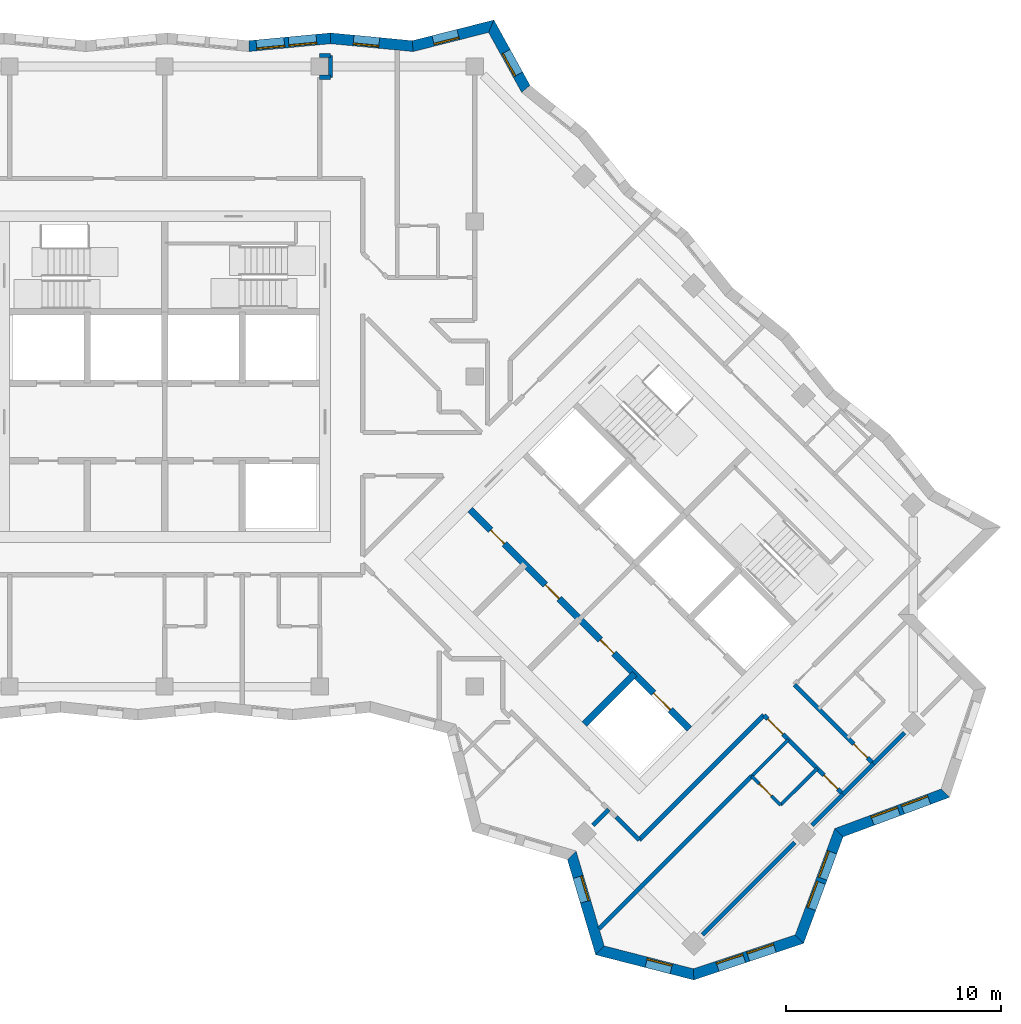
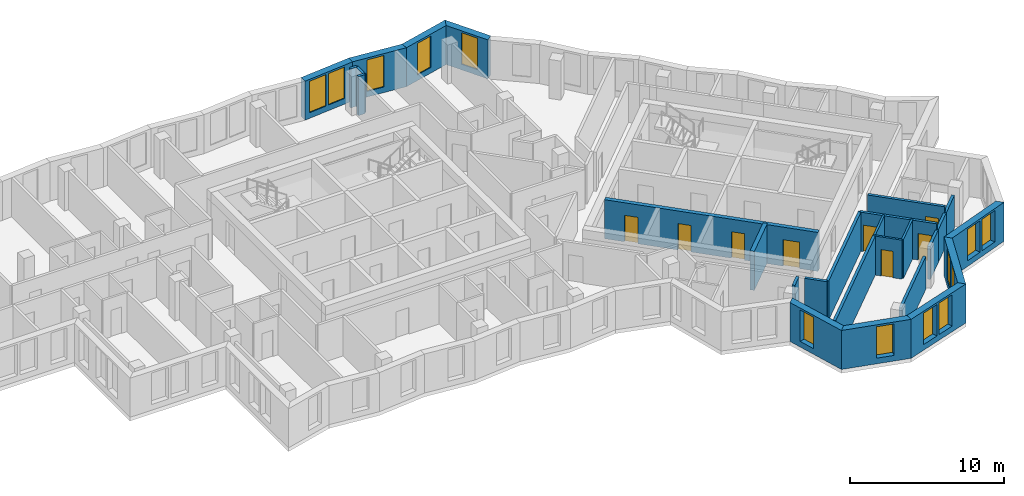
# One storey, part 7 of 11: 27 walls, 13 windows, 8 doors, 21 openings.
"""IFC4 building model written with IfcOpenShell, lengths in metres."""

from ifc_helpers import new_model, si_unit, direction, frame, frame_2d, origin, place, context, subcontext, project, spatial, polyline, rectangle, outline, extrude, material, layer, layer_set, type_object, element, fill, save


model = new_model("IFC4")

# Units and contexts
model_context = context("Model", 3, precision=1e-05, world=origin(), true_north=direction((0.0, 1.0)))
body_context = subcontext(model_context, "Body", "Model", "MODEL_VIEW")
ifc_project = project(units=[si_unit("LENGTHUNIT", "METRE"), si_unit("AREAUNIT", "SQUARE_METRE"), si_unit("VOLUMEUNIT", "CUBIC_METRE"), si_unit("PLANEANGLEUNIT", "RADIAN"), si_unit("MASSUNIT", "GRAM", prefix="KILO")], contexts=[model_context])

# Site, building, storey
site_placement = place(None, origin())
site = spatial("IfcSite", under=ifc_project, at=site_placement, CompositionType="ELEMENT")
building_placement = place(site_placement, origin())
building = spatial("IfcBuilding", under=site, at=building_placement, Name="Windrow Commons", CompositionType="ELEMENT")
storey_placement = place(building_placement, frame((0.0, 0.0, 196.4)))
storey = spatial("IfcBuildingStorey", under=building, at=storey_placement, Name="L53", CompositionType="ELEMENT", Elevation=196.4)

# Wall, openings, windows
ifc_material_1 = material(Name="Brick masonry, red clay brick", Category="masonry")
ifc_layer_1 = layer(ifc_material_1, 0.5)
ifc_layer_set_1 = layer_set([ifc_layer_1], Name="Brick facade wall 500")
wall_type_1 = type_object("IfcWallType", Name="Brick facade wall 500", PredefinedType="SOLIDWALL", material=ifc_layer_set_1)
wall_1_placement = place(storey_placement, frame((89.3731, 29.834, 0.0), z_axis=(0.0, 0.0, 1.0), x_axis=(0.9486832981, 0.316227766, 0.0)))
wall_1 = element("IfcWall", 1, at=wall_1_placement, inside=storey, type_object=wall_type_1, Name="Brick facade wall L53 1", PredefinedType="SOLIDWALL", context=body_context, shape_type="SweptSolid", body=[
    extrude(outline(polyline([(-0.0736, -0.25), (5.293, -0.25), (5.0535, 0.25), (0.0736, 0.25), (-0.0736, -0.25)])), origin(), (0.0, 0.0, 1.0), 3.1),
])
opening_1_placement = place(wall_1_placement, frame((1.1582, 0.0, 0.45)))
opening_1 = element("IfcOpeningElement", 2, at=opening_1_placement, cuts=wall_1, Name="Opening W1Q", PredefinedType="OPENING", context=body_context, shape_type="SweptSolid", body=[
    extrude(rectangle(XDim=1.3, YDim=2.5, at=frame_2d((0.65, 1.25))), frame((0.0, 0.26, 0.0), z_axis=(0.0, -1.0, 0.0), x_axis=(1.0, 0.0, 0.0)), (0.0, 0.0, 1.0), 0.52),
])
opening_2_placement = place(wall_1_placement, frame((2.6582, 0.0, 0.45)))
opening_2 = element("IfcOpeningElement", 3, at=opening_2_placement, cuts=wall_1, Name="Opening W1Q", PredefinedType="OPENING", context=body_context, shape_type="SweptSolid", body=[
    extrude(rectangle(XDim=1.3, YDim=2.5, at=frame_2d((0.65, 1.25))), frame((0.0, 0.26, 0.0), z_axis=(0.0, -1.0, 0.0), x_axis=(1.0, 0.0, 0.0)), (0.0, 0.0, 1.0), 0.52),
])
ifc_material_2 = material(Name="Clear float glass in anodised aluminium frame", Category="aluminium")
window_type_1 = type_object("IfcWindowType", Name="Window W1Q pair 1300x2500", PartitioningType="SINGLE_PANEL", PredefinedType="WINDOW", material=ifc_material_2)
window_1_placement = place(opening_1_placement, origin())
window_1 = element("IfcWindow", 4, at=window_1_placement, inside=storey, type_object=window_type_1, Name="Window L53 1.1A", OverallHeight=2.5, OverallWidth=1.3, PartitioningType="SINGLE_PANEL", PredefinedType="WINDOW", context=body_context, shape_type="SweptSolid", body=[
    extrude(rectangle(XDim=1.3, YDim=2.5, at=frame_2d((0.65, 1.25))), frame((0.0, 0.18, 0.0), z_axis=(0.0, -1.0, 0.0), x_axis=(1.0, 0.0, 0.0)), (0.0, 0.0, 1.0), 0.06),
])
fill(opening_1, window_1)
window_2_placement = place(opening_2_placement, origin())
window_2 = element("IfcWindow", 5, at=window_2_placement, inside=storey, type_object=window_type_1, Name="Window L53 1.1B", OverallHeight=2.5, OverallWidth=1.3, PartitioningType="SINGLE_PANEL", PredefinedType="WINDOW", context=body_context, shape_type="SweptSolid", body=[
    extrude(rectangle(XDim=1.3, YDim=2.5, at=frame_2d((0.65, 1.25))), frame((0.0, 0.18, 0.0), z_axis=(0.0, -1.0, 0.0), x_axis=(1.0, 0.0, 0.0)), (0.0, 0.0, 1.0), 0.06),
])
fill(opening_2, window_2)

wall_2_placement = place(storey_placement, frame((94.2808, 31.4699, 0.0), z_axis=(0.0, 0.0, 1.0), x_axis=(0.3481903374, 0.9374238577, 0.0)))
wall_2 = element("IfcWall", 6, at=wall_2_placement, inside=storey, type_object=wall_type_1, Name="Brick facade wall L53 2", PredefinedType="SOLIDWALL", context=body_context, shape_type="SweptSolid", body=[
    extrude(outline(polyline([(-0.1197, -0.25), (5.1604, -0.25), (5.3896, 0.25), (0.1197, 0.25), (-0.1197, -0.25)])), origin(), (0.0, 0.0, 1.0), 3.1),
])
opening_3_placement = place(wall_2_placement, frame((1.5123, 0.0, 0.45)))
opening_3 = element("IfcOpeningElement", 7, at=opening_3_placement, cuts=wall_2, Name="Opening W1Q", PredefinedType="OPENING", context=body_context, shape_type="SweptSolid", body=[
    extrude(rectangle(XDim=1.3, YDim=2.5, at=frame_2d((0.65, 1.25))), frame((0.0, 0.26, 0.0), z_axis=(0.0, -1.0, 0.0), x_axis=(1.0, 0.0, 0.0)), (0.0, 0.0, 1.0), 0.52),
])
opening_4_placement = place(wall_2_placement, frame((3.0123, 0.0, 0.45)))
opening_4 = element("IfcOpeningElement", 8, at=opening_4_placement, cuts=wall_2, Name="Opening W1Q", PredefinedType="OPENING", context=body_context, shape_type="SweptSolid", body=[
    extrude(rectangle(XDim=1.3, YDim=2.5, at=frame_2d((0.65, 1.25))), frame((0.0, 0.26, 0.0), z_axis=(0.0, -1.0, 0.0), x_axis=(1.0, 0.0, 0.0)), (0.0, 0.0, 1.0), 0.52),
])
window_3_placement = place(opening_3_placement, origin())
window_3 = element("IfcWindow", 9, at=window_3_placement, inside=storey, type_object=window_type_1, Name="Window L53 2.1A", OverallHeight=2.5, OverallWidth=1.3, PartitioningType="SINGLE_PANEL", PredefinedType="WINDOW", context=body_context, shape_type="SweptSolid", body=[
    extrude(rectangle(XDim=1.3, YDim=2.5, at=frame_2d((0.65, 1.25))), frame((0.0, 0.18, 0.0), z_axis=(0.0, -1.0, 0.0), x_axis=(1.0, 0.0, 0.0)), (0.0, 0.0, 1.0), 0.06),
])
fill(opening_3, window_3)
window_4_placement = place(opening_4_placement, origin())
window_4 = element("IfcWindow", 10, at=window_4_placement, inside=storey, type_object=window_type_1, Name="Window L53 2.1B", OverallHeight=2.5, OverallWidth=1.3, PartitioningType="SINGLE_PANEL", PredefinedType="WINDOW", context=body_context, shape_type="SweptSolid", body=[
    extrude(rectangle(XDim=1.3, YDim=2.5, at=frame_2d((0.65, 1.25))), frame((0.0, 0.18, 0.0), z_axis=(0.0, -1.0, 0.0), x_axis=(1.0, 0.0, 0.0)), (0.0, 0.0, 1.0), 0.06),
])
fill(opening_4, window_4)

wall_3_placement = place(storey_placement, frame((96.1175, 36.4148, 0.0), z_axis=(0.0, 0.0, 1.0), x_axis=(0.9374238577, 0.3481903374, 0.0)))
wall_3 = element("IfcWall", 11, at=wall_3_placement, inside=storey, type_object=wall_type_1, Name="Brick facade wall L53 3", PredefinedType="SOLIDWALL", context=body_context, shape_type="SweptSolid", body=[
    extrude(outline(polyline([(0.1146, -0.25), (5.3947, -0.25), (5.1552, 0.25), (-0.1146, 0.25), (0.1146, -0.25)])), origin(), (0.0, 0.0, 1.0), 3.1),
])
opening_5_placement = place(wall_3_placement, frame((1.655, 0.0, 0.45)))
opening_5 = element("IfcOpeningElement", 12, at=opening_5_placement, cuts=wall_3, Name="Opening W1Q", PredefinedType="OPENING", context=body_context, shape_type="SweptSolid", body=[
    extrude(rectangle(XDim=1.3, YDim=2.5, at=frame_2d((0.65, 1.25))), frame((0.0, 0.26, 0.0), z_axis=(0.0, -1.0, 0.0), x_axis=(1.0, 0.0, 0.0)), (0.0, 0.0, 1.0), 0.52),
])
opening_6_placement = place(wall_3_placement, frame((3.155, 0.0, 0.45)))
opening_6 = element("IfcOpeningElement", 13, at=opening_6_placement, cuts=wall_3, Name="Opening W1Q", PredefinedType="OPENING", context=body_context, shape_type="SweptSolid", body=[
    extrude(rectangle(XDim=1.3, YDim=2.5, at=frame_2d((0.65, 1.25))), frame((0.0, 0.26, 0.0), z_axis=(0.0, -1.0, 0.0), x_axis=(1.0, 0.0, 0.0)), (0.0, 0.0, 1.0), 0.52),
])
window_5_placement = place(opening_5_placement, origin())
window_5 = element("IfcWindow", 14, at=window_5_placement, inside=storey, type_object=window_type_1, Name="Window L53 3.1A", OverallHeight=2.5, OverallWidth=1.3, PartitioningType="SINGLE_PANEL", PredefinedType="WINDOW", context=body_context, shape_type="SweptSolid", body=[
    extrude(rectangle(XDim=1.3, YDim=2.5, at=frame_2d((0.65, 1.25))), frame((0.0, 0.18, 0.0), z_axis=(0.0, -1.0, 0.0), x_axis=(1.0, 0.0, 0.0)), (0.0, 0.0, 1.0), 0.06),
])
fill(opening_5, window_5)
window_6_placement = place(opening_6_placement, origin())
window_6 = element("IfcWindow", 15, at=window_6_placement, inside=storey, type_object=window_type_1, Name="Window L53 3.1B", OverallHeight=2.5, OverallWidth=1.3, PartitioningType="SINGLE_PANEL", PredefinedType="WINDOW", context=body_context, shape_type="SweptSolid", body=[
    extrude(rectangle(XDim=1.3, YDim=2.5, at=frame_2d((0.65, 1.25))), frame((0.0, 0.18, 0.0), z_axis=(0.0, -1.0, 0.0), x_axis=(1.0, 0.0, 0.0)), (0.0, 0.0, 1.0), 0.06),
])
fill(opening_6, window_6)

# Wall, opening, window
wall_4_placement = place(storey_placement, frame((81.5749, 70.9632, 0.0), z_axis=(0.0, 0.0, 1.0), x_axis=(-0.4832922013, 0.8754591071, 0.0)))
wall_4 = element("IfcWall", 16, at=wall_4_placement, inside=storey, type_object=wall_type_1, Name="Brick facade wall L53 16", PredefinedType="SOLIDWALL", context=body_context, shape_type="SweptSolid", body=[
    extrude(outline(polyline([(0.0492, -0.25), (3.5147, -0.25), (3.1288, 0.25), (-0.0492, 0.25), (0.0492, -0.25)])), origin(), (0.0, 0.0, 1.0), 3.1),
])
opening_7_placement = place(wall_4_placement, frame((0.7554, 0.0, 0.45)))
opening_7 = element("IfcOpeningElement", 17, at=opening_7_placement, cuts=wall_4, Name="Opening W7E", PredefinedType="OPENING", context=body_context, shape_type="SweptSolid", body=[
    extrude(rectangle(XDim=1.2, YDim=2.5, at=frame_2d((0.6, 1.25))), frame((0.0, 0.26, 0.0), z_axis=(0.0, -1.0, 0.0), x_axis=(1.0, 0.0, 0.0)), (0.0, 0.0, 1.0), 0.52),
])
ifc_material_3 = material(Name="Clear float glass in anodised aluminium frame", Category="aluminium")
window_type_2 = type_object("IfcWindowType", Name="Window W7 notch 1200x2500", PartitioningType="SINGLE_PANEL", PredefinedType="WINDOW", material=ifc_material_3)
window_7_placement = place(opening_7_placement, origin())
window_7 = element("IfcWindow", 18, at=window_7_placement, inside=storey, type_object=window_type_2, Name="Window L53 16.1", OverallHeight=2.5, OverallWidth=1.2, PartitioningType="SINGLE_PANEL", PredefinedType="WINDOW", context=body_context, shape_type="SweptSolid", body=[
    extrude(rectangle(XDim=1.2, YDim=2.5, at=frame_2d((0.6, 1.25))), frame((0.0, 0.18, 0.0), z_axis=(0.0, -1.0, 0.0), x_axis=(1.0, 0.0, 0.0)), (0.0, 0.0, 1.0), 0.06),
])
fill(opening_7, window_7)

wall_5_placement = place(storey_placement, frame((79.9695, 73.8713, 0.0), z_axis=(0.0, 0.0, 1.0), x_axis=(-0.9693348908, -0.2457435035, 0.0)))
wall_5 = element("IfcWall", 19, at=wall_5_placement, inside=storey, type_object=wall_type_1, Name="Brick facade wall L53 17", PredefinedType="SOLIDWALL", context=body_context, shape_type="SweptSolid", body=[
    extrude(outline(polyline([(-0.193, -0.25), (3.718, -0.25), (3.8046, 0.25), (0.193, 0.25), (-0.193, -0.25)])), origin(), (0.0, 0.0, 1.0), 3.1),
])
opening_8_placement = place(wall_5_placement, frame((1.5776, 0.0, 0.45)))
opening_8 = element("IfcOpeningElement", 20, at=opening_8_placement, cuts=wall_5, Name="Opening W7E", PredefinedType="OPENING", context=body_context, shape_type="SweptSolid", body=[
    extrude(rectangle(XDim=1.2, YDim=2.5, at=frame_2d((0.6, 1.25))), frame((0.0, 0.26, 0.0), z_axis=(0.0, -1.0, 0.0), x_axis=(1.0, 0.0, 0.0)), (0.0, 0.0, 1.0), 0.52),
])
window_8_placement = place(opening_8_placement, origin())
window_8 = element("IfcWindow", 21, at=window_8_placement, inside=storey, type_object=window_type_2, Name="Window L53 17.1", OverallHeight=2.5, OverallWidth=1.2, PartitioningType="SINGLE_PANEL", PredefinedType="WINDOW", context=body_context, shape_type="SweptSolid", body=[
    extrude(rectangle(XDim=1.2, YDim=2.5, at=frame_2d((0.6, 1.25))), frame((0.0, 0.18, 0.0), z_axis=(0.0, -1.0, 0.0), x_axis=(1.0, 0.0, 0.0)), (0.0, 0.0, 1.0), 0.06),
])
fill(opening_8, window_8)

wall_6_placement = place(storey_placement, frame((76.3236, 72.947, 0.0), z_axis=(0.0, 0.0, 1.0), x_axis=(-0.99549559, 0.0948078598, 0.0)))
wall_6 = element("IfcWall", 22, at=wall_6_placement, inside=storey, type_object=wall_type_1, Name="Brick facade wall L53 18", PredefinedType="SOLIDWALL", context=body_context, shape_type="SweptSolid", body=[
    extrude(outline(polyline([(0.0433, -0.25), (3.8515, -0.25), (3.8039, 0.25), (-0.0433, 0.25), (0.0433, -0.25)])), origin(), (0.0, 0.0, 1.0), 3.1),
])
opening_9_placement = place(wall_6_placement, frame((1.5654, 0.0, 0.45)))
opening_9 = element("IfcOpeningElement", 23, at=opening_9_placement, cuts=wall_6, Name="Opening W7E", PredefinedType="OPENING", context=body_context, shape_type="SweptSolid", body=[
    extrude(rectangle(XDim=1.2, YDim=2.5, at=frame_2d((0.6, 1.25))), frame((0.0, 0.26, 0.0), z_axis=(0.0, -1.0, 0.0), x_axis=(1.0, 0.0, 0.0)), (0.0, 0.0, 1.0), 0.52),
])
window_9_placement = place(opening_9_placement, origin())
window_9 = element("IfcWindow", 24, at=window_9_placement, inside=storey, type_object=window_type_2, Name="Window L53 18.1", OverallHeight=2.5, OverallWidth=1.2, PartitioningType="SINGLE_PANEL", PredefinedType="WINDOW", context=body_context, shape_type="SweptSolid", body=[
    extrude(rectangle(XDim=1.2, YDim=2.5, at=frame_2d((0.6, 1.25))), frame((0.0, 0.18, 0.0), z_axis=(0.0, -1.0, 0.0), x_axis=(1.0, 0.0, 0.0)), (0.0, 0.0, 1.0), 0.06),
])
fill(opening_9, window_9)

# Wall, openings, windows
wall_7_placement = place(storey_placement, frame((72.5131, 73.3099, 0.0), z_axis=(0.0, 0.0, 1.0), x_axis=(-0.9954966527, -0.0947967005, 0.0)))
wall_7 = element("IfcWall", 25, at=wall_7_placement, inside=storey, type_object=wall_type_1, Name="Brick facade wall L53 19", PredefinedType="SOLIDWALL", context=body_context, shape_type="SweptSolid", body=[
    extrude(outline(polyline([(-0.0238, -0.25), (3.7844, -0.25), (3.832, 0.25), (0.0238, 0.25), (-0.0238, -0.25)])), origin(), (0.0, 0.0, 1.0), 3.1),
])
opening_10_placement = place(wall_7_placement, frame((0.6618, 0.0, 0.45)))
opening_10 = element("IfcOpeningElement", 26, at=opening_10_placement, cuts=wall_7, Name="Opening W1Q", PredefinedType="OPENING", context=body_context, shape_type="SweptSolid", body=[
    extrude(rectangle(XDim=1.3, YDim=2.5, at=frame_2d((0.65, 1.25))), frame((0.0, 0.26, 0.0), z_axis=(0.0, -1.0, 0.0), x_axis=(1.0, 0.0, 0.0)), (0.0, 0.0, 1.0), 0.52),
])
opening_11_placement = place(wall_7_placement, frame((2.1618, 0.0, 0.45)))
opening_11 = element("IfcOpeningElement", 27, at=opening_11_placement, cuts=wall_7, Name="Opening W1Q", PredefinedType="OPENING", context=body_context, shape_type="SweptSolid", body=[
    extrude(rectangle(XDim=1.3, YDim=2.5, at=frame_2d((0.65, 1.25))), frame((0.0, 0.26, 0.0), z_axis=(0.0, -1.0, 0.0), x_axis=(1.0, 0.0, 0.0)), (0.0, 0.0, 1.0), 0.52),
])
window_10_placement = place(opening_10_placement, origin())
window_10 = element("IfcWindow", 28, at=window_10_placement, inside=storey, type_object=window_type_1, Name="Window L53 19.1A", OverallHeight=2.5, OverallWidth=1.3, PartitioningType="SINGLE_PANEL", PredefinedType="WINDOW", context=body_context, shape_type="SweptSolid", body=[
    extrude(rectangle(XDim=1.3, YDim=2.5, at=frame_2d((0.65, 1.25))), frame((0.0, 0.18, 0.0), z_axis=(0.0, -1.0, 0.0), x_axis=(1.0, 0.0, 0.0)), (0.0, 0.0, 1.0), 0.06),
])
fill(opening_10, window_10)
window_11_placement = place(opening_11_placement, origin())
window_11 = element("IfcWindow", 29, at=window_11_placement, inside=storey, type_object=window_type_1, Name="Window L53 19.1B", OverallHeight=2.5, OverallWidth=1.3, PartitioningType="SINGLE_PANEL", PredefinedType="WINDOW", context=body_context, shape_type="SweptSolid", body=[
    extrude(rectangle(XDim=1.3, YDim=2.5, at=frame_2d((0.65, 1.25))), frame((0.0, 0.18, 0.0), z_axis=(0.0, -1.0, 0.0), x_axis=(1.0, 0.0, 0.0)), (0.0, 0.0, 1.0), 0.06),
])
fill(opening_11, window_11)

# Wall, opening, window
wall_8_placement = place(storey_placement, frame((83.7093, 35.366, 0.0), z_axis=(0.0, 0.0, 1.0), x_axis=(0.2841932951, -0.9587670056, 0.0)))
wall_8 = element("IfcWall", 30, at=wall_8_placement, inside=storey, type_object=wall_type_1, Name="Brick facade wall L53 50", PredefinedType="SOLIDWALL", context=body_context, shape_type="SweptSolid", body=[
    extrude(outline(polyline([(0.1357, -0.25), (4.7478, -0.25), (4.4643, 0.25), (-0.1357, 0.25), (0.1357, -0.25)])), origin(), (0.0, 0.0, 1.0), 3.1),
])
opening_12_placement = place(wall_8_placement, frame((1.0468, 0.0, 0.45)))
opening_12 = element("IfcOpeningElement", 31, at=opening_12_placement, cuts=wall_8, Name="Opening W7E", PredefinedType="OPENING", context=body_context, shape_type="SweptSolid", body=[
    extrude(rectangle(XDim=1.2, YDim=2.5, at=frame_2d((0.6, 1.25))), frame((0.0, 0.26, 0.0), z_axis=(0.0, -1.0, 0.0), x_axis=(1.0, 0.0, 0.0)), (0.0, 0.0, 1.0), 0.52),
])
window_12_placement = place(opening_12_placement, origin())
window_12 = element("IfcWindow", 32, at=window_12_placement, inside=storey, type_object=window_type_2, Name="Window L53 50.1", OverallHeight=2.5, OverallWidth=1.2, PartitioningType="SINGLE_PANEL", PredefinedType="WINDOW", context=body_context, shape_type="SweptSolid", body=[
    extrude(rectangle(XDim=1.2, YDim=2.5, at=frame_2d((0.6, 1.25))), frame((0.0, 0.18, 0.0), z_axis=(0.0, -1.0, 0.0), x_axis=(1.0, 0.0, 0.0)), (0.0, 0.0, 1.0), 0.06),
])
fill(opening_12, window_12)

wall_9_placement = place(storey_placement, frame((85.0183, 30.9499, 0.0), z_axis=(0.0, 0.0, 1.0), x_axis=(0.9687021408, -0.2482260308, 0.0)))
wall_9 = element("IfcWall", 33, at=wall_9_placement, inside=storey, type_object=wall_type_1, Name="Brick facade wall L53 51", PredefinedType="SOLIDWALL", context=body_context, shape_type="SweptSolid", body=[
    extrude(outline(polyline([(-0.1418, -0.25), (4.569, -0.25), (4.4219, 0.25), (0.1418, 0.25), (-0.1418, -0.25)])), origin(), (0.0, 0.0, 1.0), 3.1),
])
opening_13_placement = place(wall_9_placement, frame((2.2241, 0.0, 0.45)))
opening_13 = element("IfcOpeningElement", 34, at=opening_13_placement, cuts=wall_9, Name="Opening W7E", PredefinedType="OPENING", context=body_context, shape_type="SweptSolid", body=[
    extrude(rectangle(XDim=1.2, YDim=2.5, at=frame_2d((0.6, 1.25))), frame((0.0, 0.26, 0.0), z_axis=(0.0, -1.0, 0.0), x_axis=(1.0, 0.0, 0.0)), (0.0, 0.0, 1.0), 0.52),
])
window_13_placement = place(opening_13_placement, origin())
window_13 = element("IfcWindow", 35, at=window_13_placement, inside=storey, type_object=window_type_2, Name="Window L53 51.1", OverallHeight=2.5, OverallWidth=1.2, PartitioningType="SINGLE_PANEL", PredefinedType="WINDOW", context=body_context, shape_type="SweptSolid", body=[
    extrude(rectangle(XDim=1.2, YDim=2.5, at=frame_2d((0.6, 1.25))), frame((0.0, 0.18, 0.0), z_axis=(0.0, -1.0, 0.0), x_axis=(1.0, 0.0, 0.0)), (0.0, 0.0, 1.0), 0.06),
])
fill(opening_13, window_13)

# Wall
ifc_material_4 = material(Name="Blockwork partition", Category="masonry")
ifc_layer_2 = layer(ifc_material_4, 0.2)
ifc_layer_set_2 = layer_set([ifc_layer_2], Name="IW-CORRIDOR-200")
wall_type_2 = type_object("IfcWallType", Name="IW-CORRIDOR-200", PredefinedType="PARTITIONING", material=ifc_layer_set_2)
wall_10_placement = place(storey_placement, frame((86.8351, 36.0789, 0.0), z_axis=(0.0, 0.0, 1.0), x_axis=(0.7071067812, 0.7071067812, 0.0)))
element("IfcWall", 36, at=wall_10_placement, inside=storey, type_object=wall_type_2, Name="W-L53-W009", PredefinedType="PARTITIONING", context=body_context, shape_type="SweptSolid", body=[
    extrude(rectangle(XDim=8.1996, YDim=0.2, at=frame_2d((4.0998, 0.0))), origin(), (0.0, 0.0, 1.0), 3.1),
])

# Wall, opening, door
wall_11_placement = place(storey_placement, frame((94.0471, 43.2871, 0.0), z_axis=(0.0, 0.0, 1.0), x_axis=(0.7071067812, -0.7071067812, 0.0)))
wall_11 = element("IfcWall", 37, at=wall_11_placement, inside=storey, type_object=wall_type_2, Name="W-L53-W034", PredefinedType="PARTITIONING", context=body_context, shape_type="SweptSolid", body=[
    extrude(rectangle(XDim=5.1986, YDim=0.2, at=frame_2d((2.5993, 0.0))), origin(), (0.0, 0.0, 1.0), 3.1),
])
opening_14_placement = place(wall_11_placement, frame((3.8984, 0.0, 0.0)))
opening_14 = element("IfcOpeningElement", 38, at=opening_14_placement, cuts=wall_11, Name="Opening D109S", PredefinedType="OPENING", context=body_context, shape_type="SweptSolid", body=[
    extrude(rectangle(XDim=0.9, YDim=2.1, at=frame_2d((0.45, 1.05))), frame((0.0, 0.11, 0.0), z_axis=(0.0, -1.0, 0.0), x_axis=(1.0, 0.0, 0.0)), (0.0, 0.0, 1.0), 0.22),
])
ifc_material_5 = material(Name="Timber door leaf", Category="wood")
door_type_1 = type_object("IfcDoorType", Name="DT-BEDROOM-900", OperationType="SINGLE_SWING_LEFT", PredefinedType="DOOR", material=ifc_material_5)
door_1_placement = place(opening_14_placement, origin())
door_1 = element("IfcDoor", 39, at=door_1_placement, inside=storey, type_object=door_type_1, Name="D-L53-D041", OperationType="SINGLE_SWING_RIGHT", OverallHeight=2.1, OverallWidth=0.9, PredefinedType="DOOR", context=body_context, shape_type="SweptSolid", body=[
    extrude(rectangle(XDim=0.9, YDim=2.1, at=frame_2d((0.45, 1.05))), frame((0.0, 0.025, 0.0), z_axis=(0.0, -1.0, 0.0), x_axis=(1.0, 0.0, 0.0)), (0.0, 0.0, 1.0), 0.05),
])
fill(opening_14, door_1)

# Wall, openings, doors
wall_12_placement = place(storey_placement, frame((92.6329, 41.8729, 0.0), z_axis=(0.0, 0.0, 1.0), x_axis=(0.7071067812, -0.7071067812, 0.0)))
wall_12 = element("IfcWall", 40, at=wall_12_placement, inside=storey, type_object=wall_type_2, Name="W-L53-W035", PredefinedType="PARTITIONING", context=body_context, shape_type="SweptSolid", body=[
    extrude(rectangle(XDim=5.1986, YDim=0.2, at=frame_2d((2.5993, 0.0))), origin(), (0.0, 0.0, 1.0), 3.1),
])
opening_15_placement = place(wall_12_placement, frame((0.253, 0.0, 0.0)))
opening_15 = element("IfcOpeningElement", 41, at=opening_15_placement, cuts=wall_12, Name="Opening D310F", PredefinedType="OPENING", context=body_context, shape_type="SweptSolid", body=[
    extrude(rectangle(XDim=1.0, YDim=2.1, at=frame_2d((0.5, 1.05))), frame((0.0, 0.11, 0.0), z_axis=(0.0, -1.0, 0.0), x_axis=(1.0, 0.0, 0.0)), (0.0, 0.0, 1.0), 0.22),
])
opening_16_placement = place(wall_12_placement, frame((3.9484, 0.0, 0.0)))
opening_16 = element("IfcOpeningElement", 42, at=opening_16_placement, cuts=wall_12, Name="Opening D109S", PredefinedType="OPENING", context=body_context, shape_type="SweptSolid", body=[
    extrude(rectangle(XDim=0.9, YDim=2.1, at=frame_2d((0.45, 1.05))), frame((0.0, 0.11, 0.0), z_axis=(0.0, -1.0, 0.0), x_axis=(1.0, 0.0, 0.0)), (0.0, 0.0, 1.0), 0.22),
])
ifc_material_6 = material(Name="Timber door leaf", Category="wood")
door_type_2 = type_object("IfcDoorType", Name="DT-AMENITY-1000", OperationType="SINGLE_SWING_LEFT", PredefinedType="DOOR", material=ifc_material_6)
door_2_placement = place(opening_15_placement, origin())
door_2 = element("IfcDoor", 43, at=door_2_placement, inside=storey, type_object=door_type_2, Name="D-L53-D038", OperationType="SINGLE_SWING_RIGHT", OverallHeight=2.1, OverallWidth=1.0, PredefinedType="DOOR", context=body_context, shape_type="SweptSolid", body=[
    extrude(rectangle(XDim=1.0, YDim=2.1, at=frame_2d((0.5, 1.05))), frame((0.0, 0.025, 0.0), z_axis=(0.0, -1.0, 0.0), x_axis=(1.0, 0.0, 0.0)), (0.0, 0.0, 1.0), 0.05),
])
fill(opening_15, door_2)
door_3_placement = place(opening_16_placement, origin())
door_3 = element("IfcDoor", 44, at=door_3_placement, inside=storey, type_object=door_type_1, Name="D-L53-D039", OperationType="SINGLE_SWING_LEFT", OverallHeight=2.1, OverallWidth=0.9, PredefinedType="DOOR", context=body_context, shape_type="SweptSolid", body=[
    extrude(rectangle(XDim=0.9, YDim=2.1, at=frame_2d((0.45, 1.05))), frame((0.0, 0.025, 0.0), z_axis=(0.0, -1.0, 0.0), x_axis=(1.0, 0.0, 0.0)), (0.0, 0.0, 1.0), 0.05),
])
fill(opening_16, door_3)

# Walls
wall_13_placement = place(storey_placement, frame((96.311, 38.201, 0.0), z_axis=(0.0, 0.0, 1.0), x_axis=(0.7071067812, 0.7071067812, 0.0)))
element("IfcWall", 45, at=wall_13_placement, inside=storey, type_object=wall_type_2, Name="W-L53-W101", PredefinedType="PARTITIONING", context=body_context, shape_type="SweptSolid", body=[
    extrude(rectangle(XDim=1.9997, YDim=0.2, at=frame_2d((0.9999, 0.0))), origin(), (0.0, 0.0, 1.0), 2.6),
])
wall_14_placement = place(storey_placement, frame((85.778, 37.142, 0.0), z_axis=(0.0, 0.0, 1.0), x_axis=(0.7064400143, -0.70777292, 0.0)))
element("IfcWall", 46, at=wall_14_placement, inside=storey, type_object=wall_type_2, Name="W-L53-W117", PredefinedType="PARTITIONING", context=body_context, shape_type="SweptSolid", body=[
    extrude(rectangle(XDim=1.5005, YDim=0.2, at=frame_2d((0.7502, 0.0))), origin(), (0.0, 0.0, 1.0), 3.1),
])
ifc_material_7 = material(Name="Blockwork partition", Category="masonry")
ifc_layer_3 = layer(ifc_material_7, 0.15)
ifc_layer_set_3 = layer_set([ifc_layer_3], Name="IW-ENSUITE-150")
wall_type_3 = type_object("IfcWallType", Name="IW-ENSUITE-150", PredefinedType="PARTITIONING", material=ifc_layer_set_3)
for number, where, z_axis, x_axis, name in (
    (47, (92.0722, 39.0458, 0.0), (0.0, 0.0, 1.0), (0.706689978, 0.7075233388, 0.0), "W-L53-W081"),
    (48, (93.4152, 37.7028, 0.0), (0.0, 0.0, 1.0), (0.7075233388, 0.706689978, 0.0), "W-L53-W082"),
):
    element("IfcWall", number, at=place(storey_placement, frame(where, z_axis=z_axis, x_axis=x_axis)), inside=storey, type_object=wall_type_3, Name=name, PredefinedType="PARTITIONING", context=body_context, shape_type="SweptSolid", body=[
        extrude(rectangle(XDim=2.3999, YDim=0.15, at=frame_2d((1.2, 0.0))), origin(), (0.0, 0.0, 1.0), 3.1),
    ])

# Wall, opening, door
wall_15_placement = place(storey_placement, frame((92.0669, 39.0449, 0.0), z_axis=(0.0, 0.0, 1.0), x_axis=(0.7071067812, -0.7071067812, 0.0)))
wall_15 = element("IfcWall", 49, at=wall_15_placement, inside=storey, type_object=wall_type_3, Name="W-L53-W110", PredefinedType="PARTITIONING", context=body_context, shape_type="SweptSolid", body=[
    extrude(rectangle(XDim=1.8979, YDim=0.15, at=frame_2d((0.9489, 0.0))), origin(), (0.0, 0.0, 1.0), 3.1),
])
opening_17_placement = place(wall_15_placement, frame((0.501, 0.0, 0.0)))
opening_17 = element("IfcOpeningElement", 50, at=opening_17_placement, cuts=wall_15, Name="Opening D208N", PredefinedType="OPENING", context=body_context, shape_type="SweptSolid", body=[
    extrude(rectangle(XDim=0.8, YDim=2.1, at=frame_2d((0.4, 1.05))), frame((0.0, 0.085, 0.0), z_axis=(0.0, -1.0, 0.0), x_axis=(1.0, 0.0, 0.0)), (0.0, 0.0, 1.0), 0.17),
])
ifc_material_8 = material(Name="Timber door leaf", Category="wood")
door_type_3 = type_object("IfcDoorType", Name="DT-ENSUITE-800", OperationType="SINGLE_SWING_LEFT", PredefinedType="DOOR", material=ifc_material_8)
door_4_placement = place(opening_17_placement, origin())
door_4 = element("IfcDoor", 51, at=door_4_placement, inside=storey, type_object=door_type_3, Name="D-L53-D040", OperationType="SINGLE_SWING_RIGHT", OverallHeight=2.1, OverallWidth=0.8, PredefinedType="DOOR", context=body_context, shape_type="SweptSolid", body=[
    extrude(rectangle(XDim=0.8, YDim=2.1, at=frame_2d((0.4, 1.05))), frame((0.0, 0.025, 0.0), z_axis=(0.0, -1.0, 0.0), x_axis=(1.0, 0.0, 0.0)), (0.0, 0.0, 1.0), 0.05),
])
fill(opening_17, door_4)

# Walls
ifc_material_9 = material(Name="Blockwork partition", Category="masonry")
ifc_layer_4 = layer(ifc_material_9, 0.2)
ifc_layer_set_4 = layer_set([ifc_layer_4], Name="IW-PARTY-200")
wall_type_4 = type_object("IfcWallType", Name="IW-PARTY-200", PredefinedType="PARTITIONING", material=ifc_layer_set_4)
wall_16_placement = place(storey_placement, frame((84.9809, 31.9556, 0.0), z_axis=(0.0, 0.0, 1.0), x_axis=(0.7072314232, 0.7069821172, 0.0)))
element("IfcWall", 52, at=wall_16_placement, inside=storey, type_object=wall_type_4, Name="W-L53-W005", PredefinedType="PARTITIONING", context=body_context, shape_type="SweptSolid", body=[
    extrude(rectangle(XDim=10.0278, YDim=0.2, at=frame_2d((5.0139, 0.0))), origin(), (0.0, 0.0, 1.0), 3.1),
])
wall_17_placement = place(storey_placement, frame((89.781, 31.671, 0.0), z_axis=(0.0, 0.0, 1.0), x_axis=(0.7071067812, 0.7071067812, 0.0)))
element("IfcWall", 53, at=wall_17_placement, inside=storey, type_object=wall_type_4, Name="W-L53-W023", PredefinedType="PARTITIONING", context=body_context, shape_type="SweptSolid", body=[
    extrude(rectangle(XDim=6.0698, YDim=0.2, at=frame_2d((3.0349, 0.0))), origin(), (0.0, 0.0, 1.0), 2.6),
])
wall_18_placement = place(storey_placement, frame((97.7268, 39.6132, 0.0), z_axis=(0.0, 0.0, 1.0), x_axis=(0.7066152229, 0.7075979979, 0.0)))
element("IfcWall", 54, at=wall_18_placement, inside=storey, type_object=wall_type_4, Name="W-L53-W095", PredefinedType="PARTITIONING", context=body_context, shape_type="SweptSolid", body=[
    extrude(rectangle(XDim=2.0351, YDim=0.2, at=frame_2d((1.0175, 0.0))), origin(), (0.0, 0.0, 1.0), 2.6),
])
wall_19_placement = place(storey_placement, frame((94.873, 36.763, 0.0), z_axis=(0.0, 0.0, 1.0), x_axis=(0.7071067812, 0.7071067812, 0.0)))
element("IfcWall", 55, at=wall_19_placement, inside=storey, type_object=wall_type_4, Name="W-L53-W096", PredefinedType="PARTITIONING", context=body_context, shape_type="SweptSolid", body=[
    extrude(rectangle(XDim=2.0336, YDim=0.2, at=frame_2d((1.0168, 0.0))), origin(), (0.0, 0.0, 1.0), 2.6),
])
wall_20_placement = place(storey_placement, frame((84.6927, 36.7614, 0.0), z_axis=(0.0, 0.0, 1.0), x_axis=(0.7061388061, 0.708073433, 0.0)))
element("IfcWall", 56, at=wall_20_placement, inside=storey, type_object=wall_type_4, Name="W-L53-W121", PredefinedType="PARTITIONING", context=body_context, shape_type="SweptSolid", body=[
    extrude(rectangle(XDim=1.0338, YDim=0.2, at=frame_2d((0.5169, 0.0))), origin(), (0.0, 0.0, 1.0), 3.1),
])
wall_21_placement = place(storey_placement, frame((72.5, 71.496, 0.0), z_axis=(0.0, 0.0, 1.0), x_axis=(0.0, 1.0, 0.0)))
element("IfcWall", 57, at=wall_21_placement, inside=storey, type_object=wall_type_4, Name="W-L53-W123", PredefinedType="PARTITIONING", context=body_context, shape_type="SweptSolid", body=[
    extrude(rectangle(XDim=1.01, YDim=0.2, at=frame_2d((0.505, 0.0))), origin(), (0.0, 0.0, 1.0), 3.1),
])
for number, where, z_axis, x_axis, name in (
    (58, (72.0, 72.51, 0.0), (0.0, 0.0, 1.0), (1.0, 0.0, 0.0), "W-L53-W132"),
    (59, (72.0, 71.5, 0.0), (0.0, 0.0, 1.0), (1.0, 0.0, 0.0), "W-L53-W133"),
):
    element("IfcWall", number, at=place(storey_placement, frame(where, z_axis=z_axis, x_axis=x_axis)), inside=storey, type_object=wall_type_4, Name=name, PredefinedType="PARTITIONING", context=body_context, shape_type="SweptSolid", body=[
        extrude(rectangle(XDim=0.5, YDim=0.2, at=frame_2d((0.25, 0.0))), origin(), (0.0, 0.0, 1.0), 3.1),
    ])
ifc_material_10 = material(Name="Concrete C40/50", Category="concrete")
ifc_layer_5 = layer(ifc_material_10, 0.3)
ifc_layer_set_5 = layer_set([ifc_layer_5], Name="RC SHAFT WALL 300 C40/50")
wall_type_5 = type_object("IfcWallType", Name="RC SHAFT WALL 300 C40/50", PredefinedType="SOLIDWALL", material=ifc_layer_set_5)
wall_22_placement = place(storey_placement, frame((84.2912, 41.453, 0.0), z_axis=(0.0, 0.0, 1.0), x_axis=(0.7071067812, 0.7071067812, 0.0)))
element("IfcWall", 60, at=wall_22_placement, inside=storey, type_object=wall_type_5, Name="Core B wall shaft-S3", PredefinedType="SOLIDWALL", context=body_context, shape_type="SweptSolid", body=[
    extrude(rectangle(XDim=3.2999, YDim=0.3, at=frame_2d((1.65, 0.0))), origin(), (0.0, 0.0, 1.0), 3.1),
])

# Wall, openings, doors
wall_23_placement = place(storey_placement, frame((78.9879, 51.4232, 0.0), z_axis=(0.0, 0.0, 1.0), x_axis=(0.7071067812, -0.7071067812, 0.0)))
wall_23 = element("IfcWall", 61, at=wall_23_placement, inside=storey, type_object=wall_type_5, Name="Core B wall lobby-S", PredefinedType="SOLIDWALL", context=body_context, shape_type="SweptSolid", body=[
    extrude(rectangle(XDim=14.3999, YDim=0.3, at=frame_2d((7.2, 0.0))), origin(), (0.0, 0.0, 1.0), 3.1),
])
opening_18_placement = place(wall_23_placement, frame((1.35, 0.0, 0.0)))
opening_18 = element("IfcOpeningElement", 62, at=opening_18_placement, cuts=wall_23, Name="Opening D8", PredefinedType="OPENING", context=body_context, shape_type="SweptSolid", body=[
    extrude(rectangle(XDim=0.9, YDim=2.1, at=frame_2d((0.45, 1.05))), frame((0.0, 0.16, 0.0), z_axis=(0.0, -1.0, 0.0), x_axis=(1.0, 0.0, 0.0)), (0.0, 0.0, 1.0), 0.32),
])
opening_19_placement = place(wall_23_placement, frame((4.95, 0.0, 0.0)))
opening_19 = element("IfcOpeningElement", 63, at=opening_19_placement, cuts=wall_23, Name="Opening D8", PredefinedType="OPENING", context=body_context, shape_type="SweptSolid", body=[
    extrude(rectangle(XDim=0.9, YDim=2.1, at=frame_2d((0.45, 1.05))), frame((0.0, 0.16, 0.0), z_axis=(0.0, -1.0, 0.0), x_axis=(1.0, 0.0, 0.0)), (0.0, 0.0, 1.0), 0.32),
])
opening_20_placement = place(wall_23_placement, frame((8.55, 0.0, 0.0)))
opening_20 = element("IfcOpeningElement", 64, at=opening_20_placement, cuts=wall_23, Name="Opening D8", PredefinedType="OPENING", context=body_context, shape_type="SweptSolid", body=[
    extrude(rectangle(XDim=0.9, YDim=2.1, at=frame_2d((0.45, 1.05))), frame((0.0, 0.16, 0.0), z_axis=(0.0, -1.0, 0.0), x_axis=(1.0, 0.0, 0.0)), (0.0, 0.0, 1.0), 0.32),
])
opening_21_placement = place(wall_23_placement, frame((12.05, 0.0, 0.0)))
opening_21 = element("IfcOpeningElement", 65, at=opening_21_placement, cuts=wall_23, Name="Opening LD", PredefinedType="OPENING", context=body_context, shape_type="SweptSolid", body=[
    extrude(rectangle(XDim=1.1, YDim=2.1, at=frame_2d((0.55, 1.05))), frame((0.0, 0.16, 0.0), z_axis=(0.0, -1.0, 0.0), x_axis=(1.0, 0.0, 0.0)), (0.0, 0.0, 1.0), 0.32),
])
ifc_material_11 = material(Name="Steel fire door leaf", Category="steel")
door_type_4 = type_object("IfcDoorType", Name="Core store door 900", OperationType="SINGLE_SWING_LEFT", PredefinedType="DOOR", material=ifc_material_11)
door_5_placement = place(opening_18_placement, origin())
door_5 = element("IfcDoor", 66, at=door_5_placement, inside=storey, type_object=door_type_4, Name="Store door", OperationType="SINGLE_SWING_LEFT", OverallHeight=2.1, OverallWidth=0.9, PredefinedType="DOOR", context=body_context, shape_type="SweptSolid", body=[
    extrude(rectangle(XDim=0.9, YDim=2.1, at=frame_2d((0.45, 1.05))), frame((0.0, 0.025, 0.0), z_axis=(0.0, -1.0, 0.0), x_axis=(1.0, 0.0, 0.0)), (0.0, 0.0, 1.0), 0.05),
])
fill(opening_18, door_5)
door_6_placement = place(opening_19_placement, origin())
door_6 = element("IfcDoor", 67, at=door_6_placement, inside=storey, type_object=door_type_4, Name="Store door", OperationType="SINGLE_SWING_LEFT", OverallHeight=2.1, OverallWidth=0.9, PredefinedType="DOOR", context=body_context, shape_type="SweptSolid", body=[
    extrude(rectangle(XDim=0.9, YDim=2.1, at=frame_2d((0.45, 1.05))), frame((0.0, 0.025, 0.0), z_axis=(0.0, -1.0, 0.0), x_axis=(1.0, 0.0, 0.0)), (0.0, 0.0, 1.0), 0.05),
])
fill(opening_19, door_6)
door_7_placement = place(opening_20_placement, origin())
door_7 = element("IfcDoor", 68, at=door_7_placement, inside=storey, type_object=door_type_4, Name="Store door", OperationType="SINGLE_SWING_LEFT", OverallHeight=2.1, OverallWidth=0.9, PredefinedType="DOOR", context=body_context, shape_type="SweptSolid", body=[
    extrude(rectangle(XDim=0.9, YDim=2.1, at=frame_2d((0.45, 1.05))), frame((0.0, 0.025, 0.0), z_axis=(0.0, -1.0, 0.0), x_axis=(1.0, 0.0, 0.0)), (0.0, 0.0, 1.0), 0.05),
])
fill(opening_20, door_7)
ifc_material_12 = material(Name="Stainless steel door leaf", Category="steel")
door_type_5 = type_object("IfcDoorType", Name="Lift landing door 1100", OperationType="SLIDING_TO_LEFT", PredefinedType="DOOR", material=ifc_material_12)
door_8_placement = place(opening_21_placement, origin())
door_8 = element("IfcDoor", 69, at=door_8_placement, inside=storey, type_object=door_type_5, Name="Lift landing door", OperationType="SLIDING_TO_RIGHT", OverallHeight=2.1, OverallWidth=1.1, PredefinedType="DOOR", context=body_context, shape_type="SweptSolid", body=[
    extrude(rectangle(XDim=1.1, YDim=2.1, at=frame_2d((0.55, 1.05))), frame((0.0, 0.025, 0.0), z_axis=(0.0, -1.0, 0.0), x_axis=(1.0, 0.0, 0.0)), (0.0, 0.0, 1.0), 0.05),
])
fill(opening_21, door_8)

save(model, "model.ifc")
